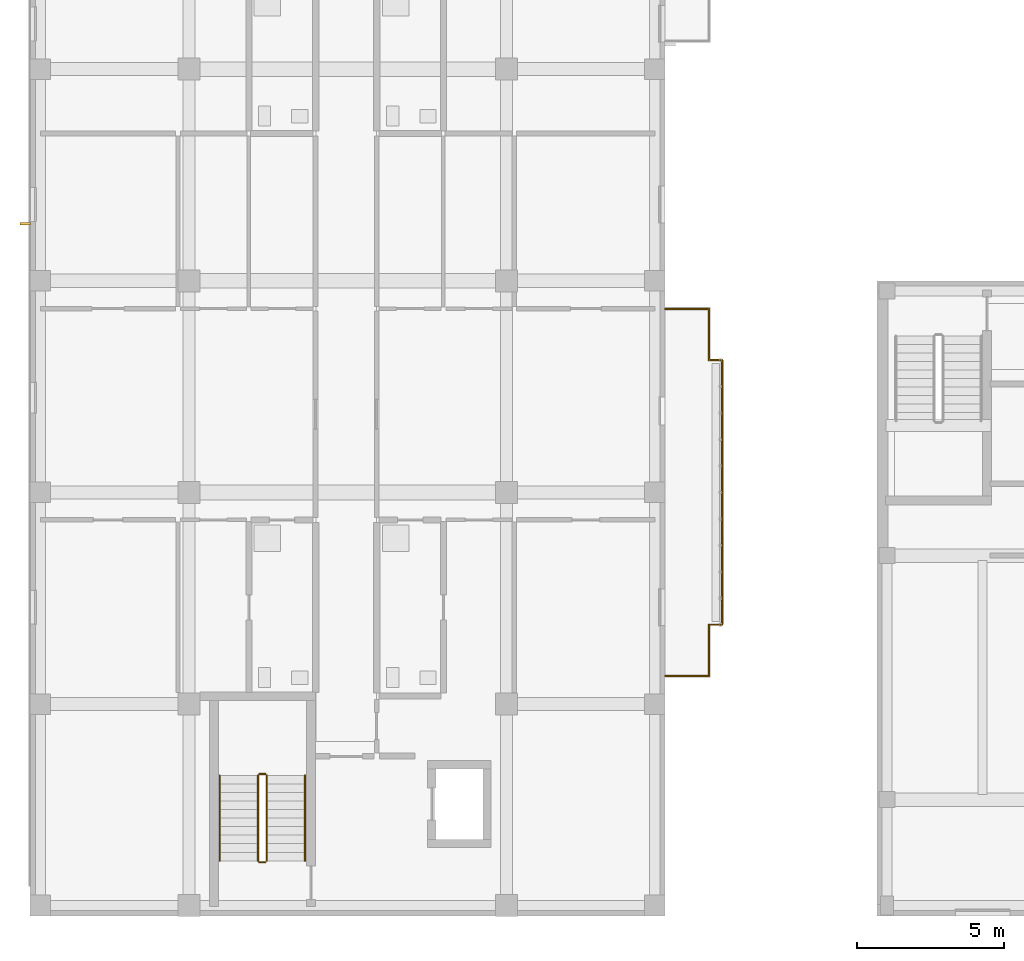
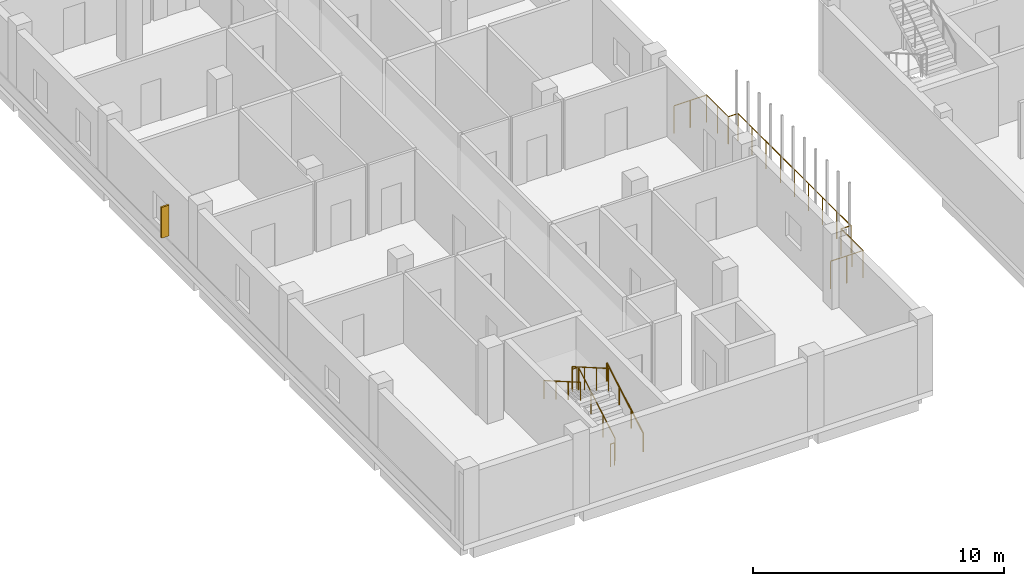
# One storey, part 56 of 73: 7 railings, 1 shading device.
"""IFC4 building model written with IfcOpenShell, lengths in metres."""

from ifc_helpers import new_model, si_unit, derived_unit, direction, frame, origin, origin_2d, place, context, subcontext, project, spatial, rectangle, circle, extrude, material, type_object, element, save


model = new_model("IFC4")

# Units and contexts
model_context = context("Model", 3, precision=1e-05, world=origin(), true_north=direction((0.0, 1.0)))
body_context = subcontext(model_context, "Body", "Model", "MODEL_VIEW")
ifc_project = project(units=[si_unit("LENGTHUNIT", "METRE"), si_unit("AREAUNIT", "SQUARE_METRE"), si_unit("VOLUMEUNIT", "CUBIC_METRE"), si_unit("PLANEANGLEUNIT", "RADIAN"), si_unit("MASSUNIT", "GRAM", prefix="KILO"), derived_unit("THERMALTRANSMITTANCEUNIT", [(si_unit("MASSUNIT", "GRAM", prefix="KILO"), 1), (si_unit("TIMEUNIT", "SECOND"), -3), (si_unit("THERMODYNAMICTEMPERATUREUNIT", "KELVIN"), -1)])], contexts=[model_context])

# Site, building, storey
site_placement = place(None, origin())
site = spatial("IfcSite", under=ifc_project, at=site_placement, CompositionType="ELEMENT")
building_placement = place(site_placement, origin())
building = spatial("IfcBuilding", under=site, at=building_placement, Name="Ochrekiln Boulevard Commons", CompositionType="ELEMENT")
storey_placement = place(building_placement, frame((0.0, 0.0, 4.89990234375)))
storey = spatial("IfcBuildingStorey", under=building, at=storey_placement, Name="L01", CompositionType="ELEMENT", Elevation=4.89990234375)

# Railings
ifc_material_1 = material(Name="Bronze-anodized extruded aluminium 6063-T6", Category="aluminium")
railing_type_1 = type_object("IfcRailingType", Name="RLG-BAL-1350", PredefinedType="BALUSTRADE", material=ifc_material_1)
railing_1_placement = place(storey_placement, frame((21.60009765625, 8.159912109375, 0.0)))
element("IfcRailing", 1, at=railing_1_placement, inside=storey, type_object=railing_type_1, Name="Block D L01 Balcony Guard Balustrade 1", PredefinedType="BALUSTRADE", context=body_context, shape_type="SweptSolid", body=[
    extrude(circle(Radius=0.02392578125, at=origin_2d()), frame((0.0, 0.0, 1.326171875), z_axis=(1.0, 0.0, 0.0), x_axis=(0.0, 1.0, 0.0)), (0.0, 0.0, 1.0), 1.489990234375),
    extrude(circle(Radius=0.02392578125, at=origin_2d()), frame((1.489990234375, 0.0, 1.326171875), z_axis=(0.0, 1.0, 0.0), x_axis=(-1.0, 0.0, 0.0)), (0.0, 0.0, 1.0), 1.739990234375),
    extrude(circle(Radius=0.02392578125, at=origin_2d()), frame((1.489990234375, 1.739990234375, 1.326171875), z_axis=(1.0, 0.0, 0.0), x_axis=(0.0, 1.0, 0.0)), (0.0, 0.0, 1.0), 0.449951171875),
    extrude(circle(Radius=0.02392578125, at=origin_2d()), frame((1.93994140625, 1.739990234375, 1.326171875), z_axis=(0.0, 1.0, 0.0), x_axis=(-1.0, 0.0, 0.0)), (0.0, 0.0, 1.0), 9.0),
    extrude(circle(Radius=0.02392578125, at=origin_2d()), frame((1.93994140625, 10.739990234375, 1.326171875), z_axis=(-1.0, 0.0, 0.0), x_axis=(0.0, -1.0, 0.0)), (0.0, 0.0, 1.0), 0.449951171875),
    extrude(circle(Radius=0.02392578125, at=origin_2d()), frame((1.489990234375, 10.739990234375, 1.326171875), z_axis=(0.0, 1.0, 0.0), x_axis=(-1.0, 0.0, 0.0)), (0.0, 0.0, 1.0), 1.739990234375),
    extrude(circle(Radius=0.02392578125, at=origin_2d()), frame((1.489990234375, 12.47998046875, 1.326171875), z_axis=(-1.0, 0.0, 0.0), x_axis=(0.0, -1.0, 0.0)), (0.0, 0.0, 1.0), 1.489990234375),
    extrude(circle(Radius=0.02099609375, at=origin_2d()), origin(), (0.0, 0.0, 1.0), 1.302001953125),
    extrude(circle(Radius=0.02099609375, at=origin_2d()), frame((0.7451171875, 0.0, 0.0)), (0.0, 0.0, 1.0), 1.302001953125),
    extrude(circle(Radius=0.02099609375, at=origin_2d()), frame((1.489990234375, 0.0, 0.0)), (0.0, 0.0, 1.0), 1.302001953125),
    extrude(circle(Radius=0.02099609375, at=origin_2d()), frame((1.489990234375, 0.8701171875, 0.0)), (0.0, 0.0, 1.0), 1.302001953125),
    extrude(circle(Radius=0.02099609375, at=origin_2d()), frame((1.489990234375, 1.739990234375, 0.0)), (0.0, 0.0, 1.0), 1.302001953125),
    extrude(circle(Radius=0.02099609375, at=origin_2d()), frame((1.93994140625, 1.739990234375, 0.0)), (0.0, 0.0, 1.0), 1.302001953125),
    extrude(circle(Radius=0.02099609375, at=origin_2d()), frame((1.93994140625, 2.864990234375, 0.0)), (0.0, 0.0, 1.0), 1.302001953125),
    extrude(circle(Radius=0.02099609375, at=origin_2d()), frame((1.93994140625, 3.989990234375, 0.0)), (0.0, 0.0, 1.0), 1.302001953125),
    extrude(circle(Radius=0.02099609375, at=origin_2d()), frame((1.93994140625, 5.114990234375, 0.0)), (0.0, 0.0, 1.0), 1.302001953125),
    extrude(circle(Radius=0.02099609375, at=origin_2d()), frame((1.93994140625, 6.239990234375, 0.0)), (0.0, 0.0, 1.0), 1.302001953125),
    extrude(circle(Radius=0.02099609375, at=origin_2d()), frame((1.93994140625, 7.364990234375, 0.0)), (0.0, 0.0, 1.0), 1.302001953125),
    extrude(circle(Radius=0.02099609375, at=origin_2d()), frame((1.93994140625, 8.489990234375, 0.0)), (0.0, 0.0, 1.0), 1.302001953125),
    extrude(circle(Radius=0.02099609375, at=origin_2d()), frame((1.93994140625, 9.614990234375, 0.0)), (0.0, 0.0, 1.0), 1.302001953125),
    extrude(circle(Radius=0.02099609375, at=origin_2d()), frame((1.93994140625, 10.739990234375, 0.0)), (0.0, 0.0, 1.0), 1.302001953125),
    extrude(circle(Radius=0.02099609375, at=origin_2d()), frame((1.489990234375, 10.739990234375, 0.0)), (0.0, 0.0, 1.0), 1.302001953125),
    extrude(circle(Radius=0.02099609375, at=origin_2d()), frame((1.489990234375, 11.60986328125, 0.0)), (0.0, 0.0, 1.0), 1.302001953125),
    extrude(circle(Radius=0.02099609375, at=origin_2d()), frame((1.489990234375, 12.47998046875, 0.0)), (0.0, 0.0, 1.0), 1.302001953125),
    extrude(circle(Radius=0.02099609375, at=origin_2d()), frame((0.7451171875, 12.47998046875, 0.0)), (0.0, 0.0, 1.0), 1.302001953125),
    extrude(circle(Radius=0.02099609375, at=origin_2d()), frame((0.0, 12.47998046875, 0.0)), (0.0, 0.0, 1.0), 1.302001953125),
])
ifc_material_2 = material(Name="Brushed stainless steel 316 tubular railing", Category="steel")
railing_type_2 = type_object("IfcRailingType", Name="RLG-HDR-900", PredefinedType="HANDRAIL", material=ifc_material_2)
railing_2_placement = place(storey_placement, frame((9.35009765625, 1.8701171875, 0.167236328125)))
element("IfcRailing", 2, at=railing_2_placement, inside=storey, type_object=railing_type_2, Name="L01 ST-D1 stair handrail 1", PredefinedType="HANDRAIL", context=body_context, shape_type="SweptSolid", body=[
    extrude(circle(Radius=0.02392578125, at=origin_2d()), frame((0.0, 0.0, 0.8759765625), z_axis=(0.0, 0.866523023801, 0.499137104634), x_axis=(-1.0, 0.0, 0.0)), (0.0, 0.0, 1.0), 3.3466796875),
    extrude(circle(Radius=0.02099609375, at=origin_2d()), origin(), (0.0, 0.0, 1.0), 0.851806640625),
    extrude(circle(Radius=0.02099609375, at=origin_2d()), frame((0.0, 0.966552734375, 0.556884765625)), (0.0, 0.0, 1.0), 0.851806640625),
    extrude(circle(Radius=0.02099609375, at=origin_2d()), frame((0.0, 1.933349609375, 1.113525390625)), (0.0, 0.0, 1.0), 0.851806640625),
    extrude(circle(Radius=0.02099609375, at=origin_2d()), frame((0.0, 2.89990234375, 1.67041015625)), (0.0, 0.0, 1.0), 0.851806640625),
])
railing_3_placement = place(storey_placement, frame((6.449951171875, 4.77001953125, 2.004638671875)))
element("IfcRailing", 3, at=railing_3_placement, inside=storey, type_object=railing_type_2, Name="L01 ST-D1 stair handrail 2", PredefinedType="HANDRAIL", context=body_context, shape_type="SweptSolid", body=[
    extrude(circle(Radius=0.02392578125, at=origin_2d()), frame((0.0, 0.0, 0.8759765625), z_axis=(0.0, -0.866523023801, 0.499137104634), x_axis=(1.0, 0.0, 0.0)), (0.0, 0.0, 1.0), 3.3466796875),
    extrude(circle(Radius=0.02099609375, at=origin_2d()), origin(), (0.0, 0.0, 1.0), 0.851806640625),
    extrude(circle(Radius=0.02099609375, at=origin_2d()), frame((0.0, -0.966552734375, 0.556884765625)), (0.0, 0.0, 1.0), 0.851806640625),
    extrude(circle(Radius=0.02099609375, at=origin_2d()), frame((0.0, -1.933349609375, 1.113525390625)), (0.0, 0.0, 1.0), 0.851806640625),
    extrude(circle(Radius=0.02099609375, at=origin_2d()), frame((0.0, -2.89990234375, 1.67041015625)), (0.0, 0.0, 1.0), 0.851806640625),
])
railing_type_3 = type_object("IfcRailingType", Name="RLG-STR-1120", PredefinedType="BALUSTRADE", material=ifc_material_2)
railing_4_placement = place(storey_placement, frame((8.050048828125, 1.8701171875, 0.167236328125)))
element("IfcRailing", 4, at=railing_4_placement, inside=storey, type_object=railing_type_3, Name="L01 ST-D1 stair guard 1", PredefinedType="BALUSTRADE", context=body_context, shape_type="SweptSolid", body=[
    extrude(circle(Radius=0.02392578125, at=origin_2d()), frame((0.0, 0.0, 1.09619140625), z_axis=(0.0, 0.866523023801, 0.499137104634), x_axis=(-1.0, 0.0, 0.0)), (0.0, 0.0, 1.0), 3.3466796875),
    extrude(circle(Radius=0.02099609375, at=origin_2d()), origin(), (0.0, 0.0, 1.0), 1.072021484375),
    extrude(circle(Radius=0.02099609375, at=origin_2d()), frame((0.0, 0.966552734375, 0.556884765625)), (0.0, 0.0, 1.0), 1.072021484375),
    extrude(circle(Radius=0.02099609375, at=origin_2d()), frame((0.0, 1.933349609375, 1.113525390625)), (0.0, 0.0, 1.0), 1.072021484375),
    extrude(circle(Radius=0.02099609375, at=origin_2d()), frame((0.0, 2.89990234375, 1.67041015625)), (0.0, 0.0, 1.0), 1.072021484375),
])
railing_5_placement = place(storey_placement, frame((8.0, 4.820068359375, 1.837646484375)))
element("IfcRailing", 5, at=railing_5_placement, inside=storey, type_object=railing_type_3, Name="L01 ST-D1 stair guard 2", PredefinedType="BALUSTRADE", context=body_context, shape_type="SweptSolid", body=[
    extrude(circle(Radius=0.02392578125, at=origin_2d()), frame((0.0, 0.0, 1.09619140625), z_axis=(-1.0, 0.0, 0.0), x_axis=(0.0, -1.0, 0.0)), (0.0, 0.0, 1.0), 0.199951171875),
    extrude(circle(Radius=0.02099609375, at=origin_2d()), origin(), (0.0, 0.0, 1.0), 1.072021484375),
    extrude(circle(Radius=0.02099609375, at=origin_2d()), frame((-0.199951171875, 0.0, 0.0)), (0.0, 0.0, 1.0), 1.072021484375),
])
railing_6_placement = place(storey_placement, frame((7.75, 4.77001953125, 2.004638671875)))
element("IfcRailing", 6, at=railing_6_placement, inside=storey, type_object=railing_type_3, Name="L01 ST-D1 stair guard 3", PredefinedType="BALUSTRADE", context=body_context, shape_type="SweptSolid", body=[
    extrude(circle(Radius=0.02392578125, at=origin_2d()), frame((0.0, 0.0, 1.09619140625), z_axis=(0.0, -0.866523023801, 0.499137104634), x_axis=(1.0, 0.0, 0.0)), (0.0, 0.0, 1.0), 3.3466796875),
    extrude(circle(Radius=0.02099609375, at=origin_2d()), origin(), (0.0, 0.0, 1.0), 1.072021484375),
    extrude(circle(Radius=0.02099609375, at=origin_2d()), frame((0.0, -0.966552734375, 0.556884765625)), (0.0, 0.0, 1.0), 1.072021484375),
    extrude(circle(Radius=0.02099609375, at=origin_2d()), frame((0.0, -1.933349609375, 1.113525390625)), (0.0, 0.0, 1.0), 1.072021484375),
    extrude(circle(Radius=0.02099609375, at=origin_2d()), frame((0.0, -2.89990234375, 1.67041015625)), (0.0, 0.0, 1.0), 1.072021484375),
])
railing_7_placement = place(storey_placement, frame((8.0, 1.820068359375, 0.0)))
element("IfcRailing", 7, at=railing_7_placement, inside=storey, type_object=railing_type_3, Name="L01 ST-D1 stair guard 4", PredefinedType="BALUSTRADE", context=body_context, shape_type="SweptSolid", body=[
    extrude(circle(Radius=0.02392578125, at=origin_2d()), frame((0.0, 0.0, 1.09619140625), z_axis=(-1.0, 0.0, 0.0), x_axis=(0.0, -1.0, 0.0)), (0.0, 0.0, 1.0), 0.199951171875),
    extrude(circle(Radius=0.02099609375, at=origin_2d()), origin(), (0.0, 0.0, 1.0), 1.072021484375),
    extrude(circle(Radius=0.02099609375, at=origin_2d()), frame((-0.199951171875, 0.0, 0.0)), (0.0, 0.0, 1.0), 1.072021484375),
])

# Shading device
ifc_material_3 = material(Name="Glazed architectural terracotta ASTM C1405", Category="masonry")
shading_device_type = type_object("IfcShadingDeviceType", Name="SHD-FIN-TERRA", PredefinedType="JALOUSIE", material=ifc_material_3)
shading_device_placement = place(storey_placement, frame((-0.169921875, 23.5390625, 0.8251953125), z_axis=(0.0, 0.0, 1.0), x_axis=(1.0, 0.0, 0.0)))
element("IfcShadingDevice", 8, at=shading_device_placement, inside=storey, type_object=shading_device_type, Name="Terracotta Solar Shading Fin SF-01 (72)", PredefinedType="JALOUSIE", context=body_context, shape_type="SweptSolid", body=[
    extrude(rectangle(XDim=0.35009765625, YDim=0.080078125, at=origin_2d()), origin(), (0.0, 0.0, 1.0), 1.5),
])

save(model, "model.ifc")
